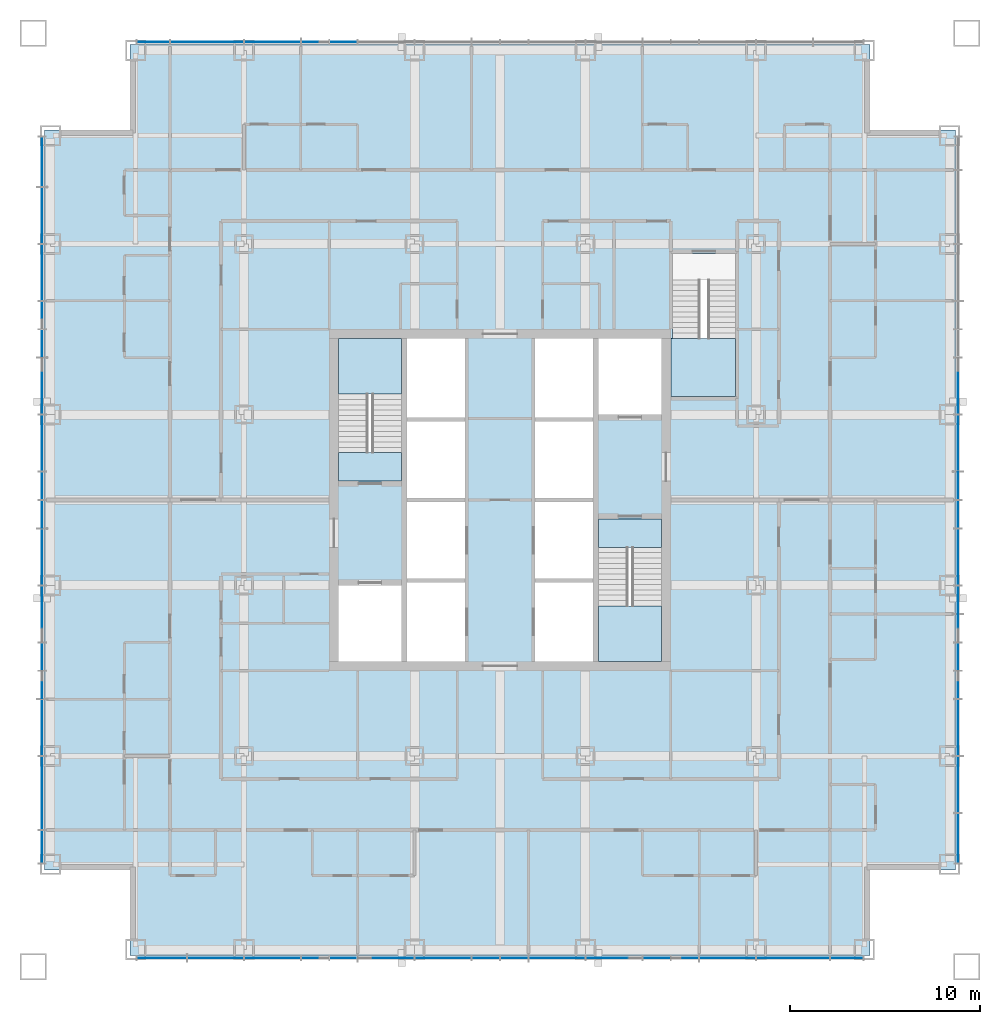
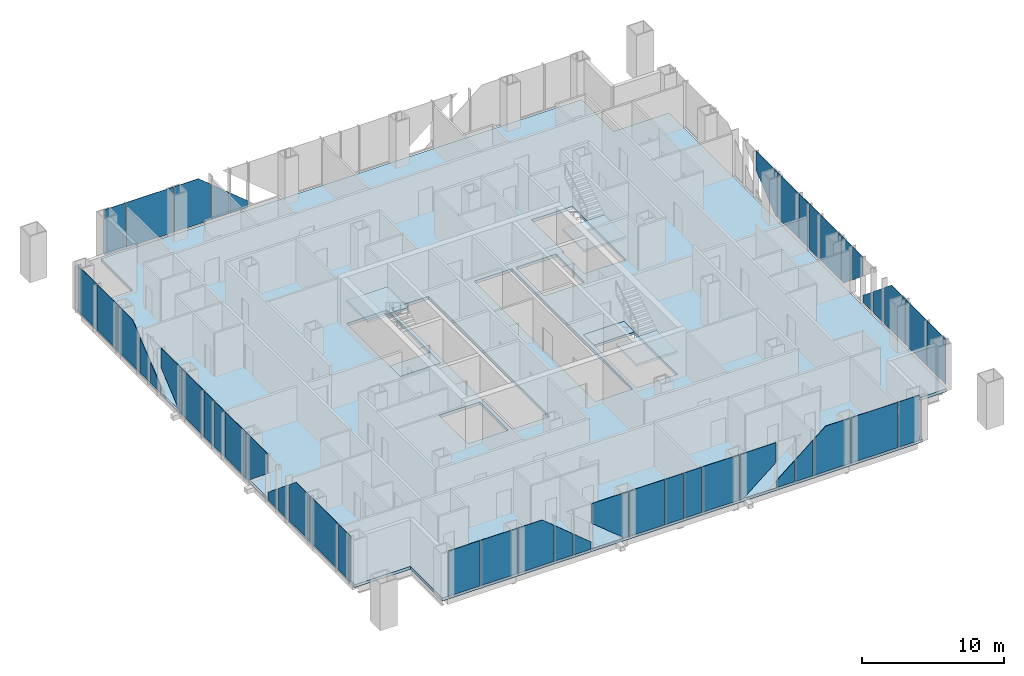
# One storey, part 7 of 18: 49 plates, 6 slabs, 7 elements without a shape of their own.
"""IFC4 building model written with IfcOpenShell, lengths in metres."""

from ifc_helpers import new_model, si_unit, direction, frame, origin, origin_2d, place, context, subcontext, project, spatial, polyline, rectangle, outline, extrude, material, layer, layer_set, type_object, element, aggregate, save


model = new_model("IFC4")

# Units and contexts
model_context = context("Model", 3, precision=1e-05, world=origin(), true_north=direction((0.0, 1.0)))
body_context = subcontext(model_context, "Body", "Model", "MODEL_VIEW")
ifc_project = project(units=[si_unit("LENGTHUNIT", "METRE"), si_unit("AREAUNIT", "SQUARE_METRE"), si_unit("VOLUMEUNIT", "CUBIC_METRE"), si_unit("PLANEANGLEUNIT", "RADIAN"), si_unit("MASSUNIT", "GRAM", prefix="KILO")], contexts=[model_context])

# Site, building, storey
site_placement = place(None, origin())
site = spatial("IfcSite", under=ifc_project, at=site_placement, CompositionType="ELEMENT")
building_placement = place(site_placement, origin())
building = spatial("IfcBuilding", under=site, at=building_placement, Name="Malebo Sky Hospital", CompositionType="ELEMENT")
storey_placement = place(building_placement, frame((0.0, 0.0, 124.0)))
storey = spatial("IfcBuildingStorey", under=building, at=storey_placement, Name="L29", CompositionType="ELEMENT", Elevation=124.0)

# Slab
ifc_material_1 = material(Name="Concrete C40/50", Category="concrete")
ifc_layer_1 = layer(ifc_material_1, 0.25)
ifc_layer_set_1 = layer_set([ifc_layer_1], Name="COMPOSITE FLOOR SLAB 250")
slab_type_1 = type_object("IfcSlabType", Name="COMPOSITE FLOOR SLAB 250", PredefinedType="FLOOR", material=ifc_layer_set_1)
slab_1_placement = place(storey_placement, frame((0.0, 0.0, -0.25)))
element("IfcSlab", 1, at=slab_1_placement, inside=storey, type_object=slab_type_1, Name="Floor slab L29", PredefinedType="FLOOR", context=body_context, shape_type="SweptSolid", body=[
    extrude(outline(polyline([(40.5, 86.0), (40.5, 81.5), (36.0, 81.5), (36.0, 42.5), (40.5, 42.5), (40.5, 38.0), (79.5, 38.0), (79.5, 42.5), (84.0, 42.5), (84.0, 81.5), (79.5, 81.5), (79.5, 86.0), (40.5, 86.0)]), holes=[polyline([(55.10009765625, 70.5), (58.14990234375, 70.5), (58.14990234375, 53.5), (55.10009765625, 53.5), (55.10009765625, 70.5)]), polyline([(64.89990234375, 70.5), (64.89990234375, 53.5), (61.85009765625, 53.5), (61.85009765625, 70.5), (64.89990234375, 70.5)]), polyline([(54.800048828125, 63.0), (51.5, 63.0), (51.5, 70.5), (54.800048828125, 70.5), (54.800048828125, 63.0)]), polyline([(51.5, 53.5), (51.5, 57.5), (54.800048828125, 57.5), (54.800048828125, 53.5), (51.5, 53.5)]), polyline([(65.199951171875, 61.0), (68.5, 61.0), (68.5, 53.5), (65.199951171875, 53.5), (65.199951171875, 61.0)]), polyline([(68.5, 70.5), (68.5, 66.5), (65.199951171875, 66.5), (65.199951171875, 70.5), (68.5, 70.5)]), polyline([(69.0, 67.449951171875), (69.0, 70.52001953125), (69.10009765625, 70.52001953125), (69.10009765625, 75.0), (72.39990234375, 75.0), (72.39990234375, 67.449951171875), (69.10009765625, 67.449951171875), (69.0, 67.449951171875)])]), origin(), (0.0, 0.0, 1.0), 0.25),
])

# Stair, slabs
stair_type_1 = type_object("IfcStairType", Name="HALF-TURN STAIR 1500 R167", PredefinedType="HALF_TURN_STAIR", material=ifc_material_1)
stair_1_placement = place(storey_placement, origin())
stair_1 = element("IfcStair", 2, at=stair_1_placement, inside=storey, type_object=stair_type_1, Name="Stair S1 L29 type ST1", PredefinedType="HALF_TURN_STAIR")
ifc_layer_2 = layer(ifc_material_1, 0.199951171875)
ifc_layer_set_2 = layer_set([ifc_layer_2], Name="STAIR LANDING 200")
slab_type_2 = type_object("IfcSlabType", Name="STAIR LANDING 200", PredefinedType="LANDING", material=ifc_layer_set_2)
slab_2_placement = place(storey_placement, frame((0.0, 0.0, -0.199951171875)))
slab_2 = element("IfcSlab", 3, at=slab_2_placement, type_object=slab_type_2, Name="S1 landing 1", PredefinedType="LANDING", context=body_context, shape_type="SweptSolid", body=[
    extrude(outline(polyline([(51.5, 63.0), (54.800048828125, 63.0), (54.800048828125, 64.5), (51.5, 64.5), (51.5, 63.0)])), origin(), (0.0, 0.0, 1.0), 0.199951171875),
])
slab_3_placement = place(storey_placement, frame((0.0, 0.0, 1.800048828125)))
slab_3 = element("IfcSlab", 4, at=slab_3_placement, type_object=slab_type_2, Name="S1 landing 2", PredefinedType="LANDING", context=body_context, shape_type="SweptSolid", body=[
    extrude(outline(polyline([(51.5, 67.580078125), (54.800048828125, 67.580078125), (54.800048828125, 70.5), (51.5, 70.5), (51.5, 67.580078125)])), origin(), (0.0, 0.0, 1.0), 0.199951171875),
])
aggregate(stair_1, [slab_2, slab_3])

stair_2_placement = place(storey_placement, origin())
stair_2 = element("IfcStair", 5, at=stair_2_placement, inside=storey, type_object=stair_type_1, Name="Stair S2 L29 type ST1", PredefinedType="HALF_TURN_STAIR")
slab_4_placement = place(storey_placement, frame((0.0, 0.0, -0.199951171875)))
slab_4 = element("IfcSlab", 6, at=slab_4_placement, type_object=slab_type_2, Name="S2 landing 1", PredefinedType="LANDING", context=body_context, shape_type="SweptSolid", body=[
    extrude(outline(polyline([(65.199951171875, 59.5), (68.5, 59.5), (68.5, 61.0), (65.199951171875, 61.0), (65.199951171875, 59.5)])), origin(), (0.0, 0.0, 1.0), 0.199951171875),
])
slab_5_placement = place(storey_placement, frame((0.0, 0.0, 1.800048828125)))
slab_5 = element("IfcSlab", 7, at=slab_5_placement, type_object=slab_type_2, Name="S2 landing 2", PredefinedType="LANDING", context=body_context, shape_type="SweptSolid", body=[
    extrude(outline(polyline([(65.199951171875, 53.5), (68.5, 53.5), (68.5, 56.419921875), (65.199951171875, 56.419921875), (65.199951171875, 53.5)])), origin(), (0.0, 0.0, 1.0), 0.199951171875),
])
aggregate(stair_2, [slab_4, slab_5])

# Stair, slab
stair_type_2 = type_object("IfcStairType", Name="HALF-TURN STAIR 1400 R167", PredefinedType="HALF_TURN_STAIR", material=ifc_material_1)
stair_3_placement = place(storey_placement, origin())
stair_3 = element("IfcStair", 8, at=stair_3_placement, inside=storey, type_object=stair_type_2, Name="Stair S3 L29 type ST1B", PredefinedType="HALF_TURN_STAIR")
slab_6_placement = place(storey_placement, frame((0.0, 0.0, 1.800048828125)))
slab_6 = element("IfcSlab", 9, at=slab_6_placement, type_object=slab_type_2, Name="S3 landing 2", PredefinedType="LANDING", context=body_context, shape_type="SweptSolid", body=[
    extrude(outline(polyline([(69.0, 67.449951171875), (72.39990234375, 67.449951171875), (72.39990234375, 70.52001953125), (69.0, 70.52001953125), (69.0, 67.449951171875)])), origin(), (0.0, 0.0, 1.0), 0.199951171875),
])
aggregate(stair_3, [slab_6])

# Curtain wall, plates
ifc_material_2 = material(Name="Anodised aluminium, natural silver", Category="aluminium")
ifc_layer_3 = layer(ifc_material_2, 0.25)
ifc_layer_set_3 = layer_set([ifc_layer_3], Name="WARD CURTAIN WALL NORTH AND SOUTH")
curtain_wall_type_1 = type_object("IfcCurtainWallType", Name="WARD CURTAIN WALL NORTH AND SOUTH", PredefinedType="NOTDEFINED", material=ifc_layer_set_3)
curtain_wall_1_placement = place(storey_placement, origin())
curtain_wall_1 = element("IfcCurtainWall", 10, at=curtain_wall_1_placement, inside=storey, type_object=curtain_wall_type_1, Name="NS curtain wall N", PredefinedType="NOTDEFINED")
ifc_material_3 = material(Name="Clear low-iron double glazing", Category="glass")
ifc_layer_4 = layer(ifc_material_3, 0.031982421875)
ifc_layer_set_4 = layer_set([ifc_layer_4], Name="VISION PANEL CLEAR 32")
plate_type = type_object("IfcPlateType", Name="VISION PANEL CLEAR 32", PredefinedType="CURTAIN_PANEL", material=ifc_layer_set_4)
plate_1_placement = place(storey_placement, frame((41.71875, 86.135009765625, 0.10009765625), z_axis=(0.0, 0.0, 1.0), x_axis=(1.0, 0.0, 0.0)))
plate_1 = element("IfcPlate", 11, at=plate_1_placement, type_object=plate_type, Name="Panel 1", PredefinedType="CURTAIN_PANEL", context=body_context, shape_type="SweptSolid", body=[
    extrude(rectangle(XDim=1.6875, YDim=0.031982421875, at=origin_2d()), origin(), (0.0, 0.0, 1.0), 3.889892578125),
])
plate_2_placement = place(storey_placement, frame((44.550048828125, 86.135009765625, 0.10009765625), z_axis=(0.0, 0.0, 1.0), x_axis=(1.0, 0.0, 0.0)))
plate_2 = element("IfcPlate", 12, at=plate_2_placement, type_object=plate_type, Name="Panel 2", PredefinedType="CURTAIN_PANEL", context=body_context, shape_type="SweptSolid", body=[
    extrude(rectangle(XDim=3.824951171875, YDim=0.031982421875, at=origin_2d()), origin(), (0.0, 0.0, 1.0), 3.889892578125),
])
plate_3_placement = place(storey_placement, frame((48.0, 86.135009765625, 0.10009765625), z_axis=(0.0, 0.0, 1.0), x_axis=(1.0, 0.0, 0.0)))
plate_3 = element("IfcPlate", 13, at=plate_3_placement, type_object=plate_type, Name="Panel 3", PredefinedType="CURTAIN_PANEL", context=body_context, shape_type="SweptSolid", body=[
    extrude(outline(polyline([(-1.46240234375, 0.0), (1.46240234375, 0.0), (1.46240234375, 3.099365234375), (0.503173828125, 3.889892578125), (-1.46240234375, 3.889892578125), (-1.46240234375, 0.0)])), frame((0.0, 0.01611328125, 0.0), z_axis=(0.0, -1.0, 0.0), x_axis=(1.0, 0.0, 0.0)), (0.0, 0.0, 1.0), 0.031982421875),
])
plate_4_placement = place(storey_placement, frame((50.25, 86.135009765625, 0.099853515625), z_axis=(0.0, 0.0, 1.0), x_axis=(1.0, 0.0, 0.0)))
plate_4 = element("IfcPlate", 14, at=plate_4_placement, type_object=plate_type, Name="Panel 4", PredefinedType="CURTAIN_PANEL", context=body_context, shape_type="SweptSolid", body=[
    extrude(outline(polyline([(-0.71240234375, 0.0), (0.71240234375, 0.0), (0.71240234375, 1.863037109375), (-0.71240234375, 3.03759765625), (-0.71240234375, 0.0)])), frame((0.0, 0.01611328125, 0.0), z_axis=(0.0, -1.0, 0.0), x_axis=(1.0, 0.0, 0.0)), (0.0, 0.0, 1.0), 0.031982421875),
])
plate_5_placement = place(storey_placement, frame((51.75, 86.135009765625, 0.10009765625), z_axis=(0.0, 0.0, 1.0), x_axis=(1.0, 0.0, 0.0)))
plate_5 = element("IfcPlate", 15, at=plate_5_placement, type_object=plate_type, Name="Panel 5", PredefinedType="CURTAIN_PANEL", context=body_context, shape_type="SweptSolid", body=[
    extrude(outline(polyline([(-0.71240234375, 0.0), (0.71240234375, 0.0), (0.71240234375, 0.626708984375), (-0.71240234375, 1.80126953125), (-0.71240234375, 0.0)])), frame((0.0, 0.01611328125, 0.0), z_axis=(0.0, -1.0, 0.0), x_axis=(1.0, 0.0, 0.0)), (0.0, 0.0, 1.0), 0.031982421875),
])
aggregate(curtain_wall_1, [plate_1, plate_2, plate_3, plate_4, plate_5])

ifc_layer_5 = layer(ifc_material_2, 0.25)
ifc_layer_set_5 = layer_set([ifc_layer_5], Name="WARD CURTAIN WALL EAST AND WEST")
curtain_wall_type_2 = type_object("IfcCurtainWallType", Name="WARD CURTAIN WALL EAST AND WEST", PredefinedType="NOTDEFINED", material=ifc_layer_set_5)
curtain_wall_2_placement = place(storey_placement, origin())
curtain_wall_2 = element("IfcCurtainWall", 16, at=curtain_wall_2_placement, inside=storey, type_object=curtain_wall_type_2, Name="EW curtain wall W", PredefinedType="NOTDEFINED")
plate_6_placement = place(storey_placement, frame((35.864990234375, 43.71875, 0.10009765625), z_axis=(0.0, 0.0, 1.0), x_axis=(0.0, 1.0, 0.0)))
plate_6 = element("IfcPlate", 17, at=plate_6_placement, type_object=plate_type, Name="Panel 1", PredefinedType="CURTAIN_PANEL", context=body_context, shape_type="SweptSolid", body=[
    extrude(rectangle(XDim=1.6875, YDim=0.031982421875, at=origin_2d()), origin(), (0.0, 0.0, 1.0), 3.889892578125),
])
plate_7_placement = place(storey_placement, frame((35.864990234375, 46.550048828125, 0.10009765625), z_axis=(0.0, 0.0, 1.0), x_axis=(0.0, 1.0, 0.0)))
plate_7 = element("IfcPlate", 18, at=plate_7_placement, type_object=plate_type, Name="Panel 2", PredefinedType="CURTAIN_PANEL", context=body_context, shape_type="SweptSolid", body=[
    extrude(rectangle(XDim=3.824951171875, YDim=0.031982421875, at=origin_2d()), origin(), (0.0, 0.0, 1.0), 3.889892578125),
])
plate_8_placement = place(storey_placement, frame((35.864990234375, 50.0, 0.10009765625), z_axis=(0.0, 0.0, 1.0), x_axis=(0.0, 1.0, 0.0)))
plate_8 = element("IfcPlate", 19, at=plate_8_placement, type_object=plate_type, Name="Panel 3", PredefinedType="CURTAIN_PANEL", context=body_context, shape_type="SweptSolid", body=[
    extrude(outline(polyline([(-1.46240234375, 0.0), (1.46240234375, 0.0), (1.46240234375, 3.099365234375), (0.503173828125, 3.889892578125), (-1.46240234375, 3.889892578125), (-1.46240234375, 0.0)])), frame((0.0, 0.01611328125, 0.0), z_axis=(0.0, -1.0, 0.0), x_axis=(1.0, 0.0, 0.0)), (0.0, 0.0, 1.0), 0.031982421875),
])
plate_9_placement = place(storey_placement, frame((35.864990234375, 52.25, 0.099853515625), z_axis=(0.0, 0.0, 1.0), x_axis=(0.0, 1.0, 0.0)))
plate_9 = element("IfcPlate", 20, at=plate_9_placement, type_object=plate_type, Name="Panel 4", PredefinedType="CURTAIN_PANEL", context=body_context, shape_type="SweptSolid", body=[
    extrude(outline(polyline([(-0.71240234375, 0.0), (0.71240234375, 0.0), (0.71240234375, 1.863037109375), (-0.71240234375, 3.03759765625), (-0.71240234375, 0.0)])), frame((0.0, 0.01611328125, 0.0), z_axis=(0.0, -1.0, 0.0), x_axis=(1.0, 0.0, 0.0)), (0.0, 0.0, 1.0), 0.031982421875),
])
plate_10_placement = place(storey_placement, frame((35.864990234375, 53.75, 0.10009765625), z_axis=(0.0, 0.0, 1.0), x_axis=(0.0, 1.0, 0.0)))
plate_10 = element("IfcPlate", 21, at=plate_10_placement, type_object=plate_type, Name="Panel 5", PredefinedType="CURTAIN_PANEL", context=body_context, shape_type="SweptSolid", body=[
    extrude(outline(polyline([(-0.71240234375, 0.0), (0.71240234375, 0.0), (0.71240234375, 0.626708984375), (-0.71240234375, 1.80126953125), (-0.71240234375, 0.0)])), frame((0.0, 0.01611328125, 0.0), z_axis=(0.0, -1.0, 0.0), x_axis=(1.0, 0.0, 0.0)), (0.0, 0.0, 1.0), 0.031982421875),
])
plate_11_placement = place(storey_placement, frame((35.864990234375, 56.0, 0.10009765625), z_axis=(0.0, 0.0, 1.0), x_axis=(0.0, 1.0, 0.0)))
plate_11 = element("IfcPlate", 22, at=plate_11_placement, type_object=plate_type, Name="Panel 6", PredefinedType="CURTAIN_PANEL", context=body_context, shape_type="SweptSolid", body=[
    extrude(outline(polyline([(1.18994140625, 0.0), (1.46240234375, 0.0), (1.46240234375, 3.889892578125), (-1.46240234375, 3.889892578125), (-1.46240234375, 2.18603515625), (1.18994140625, 0.0)])), frame((0.0, 0.01611328125, 0.0), z_axis=(0.0, -1.0, 0.0), x_axis=(1.0, 0.0, 0.0)), (0.0, 0.0, 1.0), 0.031982421875),
])
plate_12_placement = place(storey_placement, frame((35.864990234375, 59.0, 0.10009765625), z_axis=(0.0, 0.0, 1.0), x_axis=(0.0, 1.0, 0.0)))
plate_12 = element("IfcPlate", 23, at=plate_12_placement, type_object=plate_type, Name="Panel 7", PredefinedType="CURTAIN_PANEL", context=body_context, shape_type="SweptSolid", body=[
    extrude(rectangle(XDim=2.925048828125, YDim=0.031982421875, at=origin_2d()), origin(), (0.0, 0.0, 1.0), 3.889892578125),
])
plate_13_placement = place(storey_placement, frame((35.864990234375, 61.25, 0.10009765625), z_axis=(0.0, 0.0, 1.0), x_axis=(0.0, 1.0, 0.0)))
plate_13 = element("IfcPlate", 24, at=plate_13_placement, type_object=plate_type, Name="Panel 8", PredefinedType="CURTAIN_PANEL", context=body_context, shape_type="SweptSolid", body=[
    extrude(rectangle(XDim=1.425048828125, YDim=0.031982421875, at=origin_2d()), origin(), (0.0, 0.0, 1.0), 3.889892578125),
])
plate_14_placement = place(storey_placement, frame((35.864990234375, 62.75, 0.10009765625), z_axis=(0.0, 0.0, 1.0), x_axis=(0.0, 1.0, 0.0)))
plate_14 = element("IfcPlate", 25, at=plate_14_placement, type_object=plate_type, Name="Panel 9", PredefinedType="CURTAIN_PANEL", context=body_context, shape_type="SweptSolid", body=[
    extrude(rectangle(XDim=1.425048828125, YDim=0.031982421875, at=origin_2d()), origin(), (0.0, 0.0, 1.0), 3.889892578125),
])
plate_15_placement = place(storey_placement, frame((35.864990234375, 65.0, 0.10009765625), z_axis=(0.0, 0.0, 1.0), x_axis=(0.0, 1.0, 0.0)))
plate_15 = element("IfcPlate", 26, at=plate_15_placement, type_object=plate_type, Name="Panel 10", PredefinedType="CURTAIN_PANEL", context=body_context, shape_type="SweptSolid", body=[
    extrude(rectangle(XDim=2.925048828125, YDim=0.031982421875, at=origin_2d()), origin(), (0.0, 0.0, 1.0), 3.889892578125),
])
plate_16_placement = place(storey_placement, frame((35.864990234375, 68.0, 0.10009765625), z_axis=(0.0, 0.0, 1.0), x_axis=(0.0, 1.0, 0.0)))
plate_16 = element("IfcPlate", 27, at=plate_16_placement, type_object=plate_type, Name="Panel 11", PredefinedType="CURTAIN_PANEL", context=body_context, shape_type="SweptSolid", body=[
    extrude(outline(polyline([(-1.46240234375, 0.0), (-1.18994140625, 0.0), (1.46240234375, 2.18603515625), (1.46240234375, 3.889892578125), (-1.46240234375, 3.889892578125), (-1.46240234375, 0.0)])), frame((0.0, 0.01611328125, 0.0), z_axis=(0.0, -1.0, 0.0), x_axis=(1.0, 0.0, 0.0)), (0.0, 0.0, 1.0), 0.031982421875),
])
plate_17_placement = place(storey_placement, frame((35.864990234375, 70.25, 0.10009765625), z_axis=(0.0, 0.0, 1.0), x_axis=(0.0, 1.0, 0.0)))
plate_17 = element("IfcPlate", 28, at=plate_17_placement, type_object=plate_type, Name="Panel 12", PredefinedType="CURTAIN_PANEL", context=body_context, shape_type="SweptSolid", body=[
    extrude(outline(polyline([(-0.71240234375, 0.0), (0.71240234375, 0.0), (0.71240234375, 1.80126953125), (-0.71240234375, 0.626708984375), (-0.71240234375, 0.0)])), frame((0.0, 0.01611328125, 0.0), z_axis=(0.0, -1.0, 0.0), x_axis=(1.0, 0.0, 0.0)), (0.0, 0.0, 1.0), 0.031982421875),
])
plate_18_placement = place(storey_placement, frame((35.864990234375, 71.75, 0.099853515625), z_axis=(0.0, 0.0, 1.0), x_axis=(0.0, 1.0, 0.0)))
plate_18 = element("IfcPlate", 29, at=plate_18_placement, type_object=plate_type, Name="Panel 13", PredefinedType="CURTAIN_PANEL", context=body_context, shape_type="SweptSolid", body=[
    extrude(outline(polyline([(-0.71240234375, 0.0), (0.71240234375, 0.0), (0.71240234375, 3.03759765625), (-0.71240234375, 1.863037109375), (-0.71240234375, 0.0)])), frame((0.0, 0.01611328125, 0.0), z_axis=(0.0, -1.0, 0.0), x_axis=(1.0, 0.0, 0.0)), (0.0, 0.0, 1.0), 0.031982421875),
])
plate_19_placement = place(storey_placement, frame((35.864990234375, 74.0, 0.10009765625), z_axis=(0.0, 0.0, 1.0), x_axis=(0.0, 1.0, 0.0)))
plate_19 = element("IfcPlate", 30, at=plate_19_placement, type_object=plate_type, Name="Panel 14", PredefinedType="CURTAIN_PANEL", context=body_context, shape_type="SweptSolid", body=[
    extrude(outline(polyline([(-1.46240234375, 0.0), (1.46240234375, 0.0), (1.46240234375, 3.889892578125), (-0.503173828125, 3.889892578125), (-1.46240234375, 3.099365234375), (-1.46240234375, 0.0)])), frame((0.0, 0.01611328125, 0.0), z_axis=(0.0, -1.0, 0.0), x_axis=(1.0, 0.0, 0.0)), (0.0, 0.0, 1.0), 0.031982421875),
])
plate_20_placement = place(storey_placement, frame((35.864990234375, 77.0, 0.10009765625), z_axis=(0.0, 0.0, 1.0), x_axis=(0.0, 1.0, 0.0)))
plate_20 = element("IfcPlate", 31, at=plate_20_placement, type_object=plate_type, Name="Panel 15", PredefinedType="CURTAIN_PANEL", context=body_context, shape_type="SweptSolid", body=[
    extrude(rectangle(XDim=2.925048828125, YDim=0.031982421875, at=origin_2d()), origin(), (0.0, 0.0, 1.0), 3.889892578125),
])
plate_21_placement = place(storey_placement, frame((35.864990234375, 79.831298828125, 0.10009765625), z_axis=(0.0, 0.0, 1.0), x_axis=(0.0, 1.0, 0.0)))
plate_21 = element("IfcPlate", 32, at=plate_21_placement, type_object=plate_type, Name="Panel 16", PredefinedType="CURTAIN_PANEL", context=body_context, shape_type="SweptSolid", body=[
    extrude(rectangle(XDim=2.58740234375, YDim=0.031982421875, at=origin_2d()), origin(), (0.0, 0.0, 1.0), 3.889892578125),
])
aggregate(curtain_wall_2, [plate_6, plate_7, plate_8, plate_9, plate_10, plate_11, plate_12, plate_13, plate_14, plate_15, plate_16, plate_17, plate_18, plate_19, plate_20, plate_21])

curtain_wall_3_placement = place(storey_placement, origin())
curtain_wall_3 = element("IfcCurtainWall", 33, at=curtain_wall_3_placement, inside=storey, type_object=curtain_wall_type_1, Name="NS curtain wall S", PredefinedType="NOTDEFINED")
plate_22_placement = place(storey_placement, frame((78.28125, 37.864990234375, 0.10009765625), z_axis=(0.0, 0.0, 1.0), x_axis=(-1.0, 0.0, 0.0)))
plate_22 = element("IfcPlate", 34, at=plate_22_placement, type_object=plate_type, Name="Panel 1", PredefinedType="CURTAIN_PANEL", context=body_context, shape_type="SweptSolid", body=[
    extrude(rectangle(XDim=1.6875, YDim=0.031982421875, at=origin_2d()), origin(), (0.0, 0.0, 1.0), 3.889892578125),
])
plate_23_placement = place(storey_placement, frame((75.449951171875, 37.864990234375, 0.10009765625), z_axis=(0.0, 0.0, 1.0), x_axis=(-1.0, 0.0, 0.0)))
plate_23 = element("IfcPlate", 35, at=plate_23_placement, type_object=plate_type, Name="Panel 2", PredefinedType="CURTAIN_PANEL", context=body_context, shape_type="SweptSolid", body=[
    extrude(rectangle(XDim=3.824951171875, YDim=0.031982421875, at=origin_2d()), origin(), (0.0, 0.0, 1.0), 3.889892578125),
])
plate_24_placement = place(storey_placement, frame((72.0, 37.864990234375, 0.10009765625), z_axis=(0.0, 0.0, 1.0), x_axis=(-1.0, 0.0, 0.0)))
plate_24 = element("IfcPlate", 36, at=plate_24_placement, type_object=plate_type, Name="Panel 3", PredefinedType="CURTAIN_PANEL", context=body_context, shape_type="SweptSolid", body=[
    extrude(outline(polyline([(-1.46240234375, 0.0), (1.46240234375, 0.0), (1.46240234375, 3.099365234375), (0.503173828125, 3.889892578125), (-1.46240234375, 3.889892578125), (-1.46240234375, 0.0)])), frame((0.0, 0.01611328125, 0.0), z_axis=(0.0, -1.0, 0.0), x_axis=(1.0, 0.0, 0.0)), (0.0, 0.0, 1.0), 0.031982421875),
])
plate_25_placement = place(storey_placement, frame((69.75, 37.864990234375, 0.099853515625), z_axis=(0.0, 0.0, 1.0), x_axis=(-1.0, 0.0, 0.0)))
plate_25 = element("IfcPlate", 37, at=plate_25_placement, type_object=plate_type, Name="Panel 4", PredefinedType="CURTAIN_PANEL", context=body_context, shape_type="SweptSolid", body=[
    extrude(outline(polyline([(-0.71240234375, 0.0), (0.71240234375, 0.0), (0.71240234375, 1.863037109375), (-0.71240234375, 3.03759765625), (-0.71240234375, 0.0)])), frame((0.0, 0.01611328125, 0.0), z_axis=(0.0, -1.0, 0.0), x_axis=(1.0, 0.0, 0.0)), (0.0, 0.0, 1.0), 0.031982421875),
])
plate_26_placement = place(storey_placement, frame((68.25, 37.864990234375, 0.10009765625), z_axis=(0.0, 0.0, 1.0), x_axis=(-1.0, 0.0, 0.0)))
plate_26 = element("IfcPlate", 38, at=plate_26_placement, type_object=plate_type, Name="Panel 5", PredefinedType="CURTAIN_PANEL", context=body_context, shape_type="SweptSolid", body=[
    extrude(outline(polyline([(-0.71240234375, 0.0), (0.71240234375, 0.0), (0.71240234375, 0.626708984375), (-0.71240234375, 1.80126953125), (-0.71240234375, 0.0)])), frame((0.0, 0.01611328125, 0.0), z_axis=(0.0, -1.0, 0.0), x_axis=(1.0, 0.0, 0.0)), (0.0, 0.0, 1.0), 0.031982421875),
])
plate_27_placement = place(storey_placement, frame((66.0, 37.864990234375, 0.10009765625), z_axis=(0.0, 0.0, 1.0), x_axis=(-1.0, 0.0, 0.0)))
plate_27 = element("IfcPlate", 39, at=plate_27_placement, type_object=plate_type, Name="Panel 6", PredefinedType="CURTAIN_PANEL", context=body_context, shape_type="SweptSolid", body=[
    extrude(outline(polyline([(1.18994140625, 0.0), (1.46240234375, 0.0), (1.46240234375, 3.889892578125), (-1.46240234375, 3.889892578125), (-1.46240234375, 2.18603515625), (1.18994140625, 0.0)])), frame((0.0, 0.01611328125, 0.0), z_axis=(0.0, -1.0, 0.0), x_axis=(1.0, 0.0, 0.0)), (0.0, 0.0, 1.0), 0.031982421875),
])
plate_28_placement = place(storey_placement, frame((63.0, 37.864990234375, 0.10009765625), z_axis=(0.0, 0.0, 1.0), x_axis=(-1.0, 0.0, 0.0)))
plate_28 = element("IfcPlate", 40, at=plate_28_placement, type_object=plate_type, Name="Panel 7", PredefinedType="CURTAIN_PANEL", context=body_context, shape_type="SweptSolid", body=[
    extrude(rectangle(XDim=2.925048828125, YDim=0.031982421875, at=origin_2d()), origin(), (0.0, 0.0, 1.0), 3.889892578125),
])
plate_29_placement = place(storey_placement, frame((60.75, 37.864990234375, 0.10009765625), z_axis=(0.0, 0.0, 1.0), x_axis=(-1.0, 0.0, 0.0)))
plate_29 = element("IfcPlate", 41, at=plate_29_placement, type_object=plate_type, Name="Panel 8", PredefinedType="CURTAIN_PANEL", context=body_context, shape_type="SweptSolid", body=[
    extrude(rectangle(XDim=1.425048828125, YDim=0.031982421875, at=origin_2d()), origin(), (0.0, 0.0, 1.0), 3.889892578125),
])
plate_30_placement = place(storey_placement, frame((59.25, 37.864990234375, 0.10009765625), z_axis=(0.0, 0.0, 1.0), x_axis=(-1.0, 0.0, 0.0)))
plate_30 = element("IfcPlate", 42, at=plate_30_placement, type_object=plate_type, Name="Panel 9", PredefinedType="CURTAIN_PANEL", context=body_context, shape_type="SweptSolid", body=[
    extrude(rectangle(XDim=1.425048828125, YDim=0.031982421875, at=origin_2d()), origin(), (0.0, 0.0, 1.0), 3.889892578125),
])
plate_31_placement = place(storey_placement, frame((57.0, 37.864990234375, 0.10009765625), z_axis=(0.0, 0.0, 1.0), x_axis=(-1.0, 0.0, 0.0)))
plate_31 = element("IfcPlate", 43, at=plate_31_placement, type_object=plate_type, Name="Panel 10", PredefinedType="CURTAIN_PANEL", context=body_context, shape_type="SweptSolid", body=[
    extrude(rectangle(XDim=2.925048828125, YDim=0.031982421875, at=origin_2d()), origin(), (0.0, 0.0, 1.0), 3.889892578125),
])
plate_32_placement = place(storey_placement, frame((54.0, 37.864990234375, 0.10009765625), z_axis=(0.0, 0.0, 1.0), x_axis=(-1.0, 0.0, 0.0)))
plate_32 = element("IfcPlate", 44, at=plate_32_placement, type_object=plate_type, Name="Panel 11", PredefinedType="CURTAIN_PANEL", context=body_context, shape_type="SweptSolid", body=[
    extrude(outline(polyline([(-1.46240234375, 0.0), (-1.18994140625, 0.0), (1.46240234375, 2.18603515625), (1.46240234375, 3.889892578125), (-1.46240234375, 3.889892578125), (-1.46240234375, 0.0)])), frame((0.0, 0.01611328125, 0.0), z_axis=(0.0, -1.0, 0.0), x_axis=(1.0, 0.0, 0.0)), (0.0, 0.0, 1.0), 0.031982421875),
])
plate_33_placement = place(storey_placement, frame((51.75, 37.864990234375, 0.10009765625), z_axis=(0.0, 0.0, 1.0), x_axis=(-1.0, 0.0, 0.0)))
plate_33 = element("IfcPlate", 45, at=plate_33_placement, type_object=plate_type, Name="Panel 12", PredefinedType="CURTAIN_PANEL", context=body_context, shape_type="SweptSolid", body=[
    extrude(outline(polyline([(-0.71240234375, 0.0), (0.71240234375, 0.0), (0.71240234375, 1.80126953125), (-0.71240234375, 0.626708984375), (-0.71240234375, 0.0)])), frame((0.0, 0.01611328125, 0.0), z_axis=(0.0, -1.0, 0.0), x_axis=(1.0, 0.0, 0.0)), (0.0, 0.0, 1.0), 0.031982421875),
])
plate_34_placement = place(storey_placement, frame((50.25, 37.864990234375, 0.099853515625), z_axis=(0.0, 0.0, 1.0), x_axis=(-1.0, 0.0, 0.0)))
plate_34 = element("IfcPlate", 46, at=plate_34_placement, type_object=plate_type, Name="Panel 13", PredefinedType="CURTAIN_PANEL", context=body_context, shape_type="SweptSolid", body=[
    extrude(outline(polyline([(-0.71240234375, 0.0), (0.71240234375, 0.0), (0.71240234375, 3.03759765625), (-0.71240234375, 1.863037109375), (-0.71240234375, 0.0)])), frame((0.0, 0.01611328125, 0.0), z_axis=(0.0, -1.0, 0.0), x_axis=(1.0, 0.0, 0.0)), (0.0, 0.0, 1.0), 0.031982421875),
])
plate_35_placement = place(storey_placement, frame((48.0, 37.864990234375, 0.10009765625), z_axis=(0.0, 0.0, 1.0), x_axis=(-1.0, 0.0, 0.0)))
plate_35 = element("IfcPlate", 47, at=plate_35_placement, type_object=plate_type, Name="Panel 14", PredefinedType="CURTAIN_PANEL", context=body_context, shape_type="SweptSolid", body=[
    extrude(outline(polyline([(-1.46240234375, 0.0), (1.46240234375, 0.0), (1.46240234375, 3.889892578125), (-0.503173828125, 3.889892578125), (-1.46240234375, 3.099365234375), (-1.46240234375, 0.0)])), frame((0.0, 0.01611328125, 0.0), z_axis=(0.0, -1.0, 0.0), x_axis=(1.0, 0.0, 0.0)), (0.0, 0.0, 1.0), 0.031982421875),
])
plate_36_placement = place(storey_placement, frame((45.0, 37.864990234375, 0.10009765625), z_axis=(0.0, 0.0, 1.0), x_axis=(-1.0, 0.0, 0.0)))
plate_36 = element("IfcPlate", 48, at=plate_36_placement, type_object=plate_type, Name="Panel 15", PredefinedType="CURTAIN_PANEL", context=body_context, shape_type="SweptSolid", body=[
    extrude(rectangle(XDim=2.925048828125, YDim=0.031982421875, at=origin_2d()), origin(), (0.0, 0.0, 1.0), 3.889892578125),
])
plate_37_placement = place(storey_placement, frame((42.168701171875, 37.864990234375, 0.10009765625), z_axis=(0.0, 0.0, 1.0), x_axis=(-1.0, 0.0, 0.0)))
plate_37 = element("IfcPlate", 49, at=plate_37_placement, type_object=plate_type, Name="Panel 16", PredefinedType="CURTAIN_PANEL", context=body_context, shape_type="SweptSolid", body=[
    extrude(rectangle(XDim=2.58740234375, YDim=0.031982421875, at=origin_2d()), origin(), (0.0, 0.0, 1.0), 3.889892578125),
])
aggregate(curtain_wall_3, [plate_22, plate_23, plate_24, plate_25, plate_26, plate_27, plate_28, plate_29, plate_30, plate_31, plate_32, plate_33, plate_34, plate_35, plate_36, plate_37])

curtain_wall_4_placement = place(storey_placement, origin())
curtain_wall_4 = element("IfcCurtainWall", 50, at=curtain_wall_4_placement, inside=storey, type_object=curtain_wall_type_2, Name="EW curtain wall E", PredefinedType="NOTDEFINED")
plate_38_placement = place(storey_placement, frame((84.135009765625, 68.0, 0.10009765625), z_axis=(0.0, 0.0, 1.0), x_axis=(0.0, -1.0, 0.0)))
plate_38 = element("IfcPlate", 51, at=plate_38_placement, type_object=plate_type, Name="Panel 6", PredefinedType="CURTAIN_PANEL", context=body_context, shape_type="SweptSolid", body=[
    extrude(outline(polyline([(1.18994140625, 0.0), (1.46240234375, 0.0), (1.46240234375, 3.889892578125), (-1.46240234375, 3.889892578125), (-1.46240234375, 2.18603515625), (1.18994140625, 0.0)])), frame((0.0, 0.01611328125, 0.0), z_axis=(0.0, -1.0, 0.0), x_axis=(1.0, 0.0, 0.0)), (0.0, 0.0, 1.0), 0.031982421875),
])
plate_39_placement = place(storey_placement, frame((84.135009765625, 65.0, 0.10009765625), z_axis=(0.0, 0.0, 1.0), x_axis=(0.0, -1.0, 0.0)))
plate_39 = element("IfcPlate", 52, at=plate_39_placement, type_object=plate_type, Name="Panel 7", PredefinedType="CURTAIN_PANEL", context=body_context, shape_type="SweptSolid", body=[
    extrude(rectangle(XDim=2.925048828125, YDim=0.031982421875, at=origin_2d()), origin(), (0.0, 0.0, 1.0), 3.889892578125),
])
plate_40_placement = place(storey_placement, frame((84.135009765625, 62.75, 0.10009765625), z_axis=(0.0, 0.0, 1.0), x_axis=(0.0, -1.0, 0.0)))
plate_40 = element("IfcPlate", 53, at=plate_40_placement, type_object=plate_type, Name="Panel 8", PredefinedType="CURTAIN_PANEL", context=body_context, shape_type="SweptSolid", body=[
    extrude(rectangle(XDim=1.425048828125, YDim=0.031982421875, at=origin_2d()), origin(), (0.0, 0.0, 1.0), 3.889892578125),
])
plate_41_placement = place(storey_placement, frame((84.135009765625, 61.25, 0.10009765625), z_axis=(0.0, 0.0, 1.0), x_axis=(0.0, -1.0, 0.0)))
plate_41 = element("IfcPlate", 54, at=plate_41_placement, type_object=plate_type, Name="Panel 9", PredefinedType="CURTAIN_PANEL", context=body_context, shape_type="SweptSolid", body=[
    extrude(rectangle(XDim=1.425048828125, YDim=0.031982421875, at=origin_2d()), origin(), (0.0, 0.0, 1.0), 3.889892578125),
])
plate_42_placement = place(storey_placement, frame((84.135009765625, 59.0, 0.10009765625), z_axis=(0.0, 0.0, 1.0), x_axis=(0.0, -1.0, 0.0)))
plate_42 = element("IfcPlate", 55, at=plate_42_placement, type_object=plate_type, Name="Panel 10", PredefinedType="CURTAIN_PANEL", context=body_context, shape_type="SweptSolid", body=[
    extrude(rectangle(XDim=2.925048828125, YDim=0.031982421875, at=origin_2d()), origin(), (0.0, 0.0, 1.0), 3.889892578125),
])
plate_43_placement = place(storey_placement, frame((84.135009765625, 56.75, 0.10009765625), z_axis=(0.0, 0.0, 1.0), x_axis=(0.0, -1.0, 0.0)))
plate_43 = element("IfcPlate", 56, at=plate_43_placement, type_object=plate_type, Name="Panel 11", PredefinedType="CURTAIN_PANEL", context=body_context, shape_type="SweptSolid", body=[
    extrude(outline(polyline([(-0.71240234375, 0.0), (-0.43994140625, 0.0), (0.71240234375, 0.94970703125), (0.71240234375, 3.889892578125), (-0.71240234375, 3.889892578125), (-0.71240234375, 0.0)])), frame((0.0, 0.01611328125, 0.0), z_axis=(0.0, -1.0, 0.0), x_axis=(1.0, 0.0, 0.0)), (0.0, 0.0, 1.0), 0.031982421875),
])
plate_44_placement = place(storey_placement, frame((84.135009765625, 55.25, 1.111572265625), z_axis=(0.0, 0.0, 1.0), x_axis=(0.0, -1.0, 0.0)))
plate_44 = element("IfcPlate", 57, at=plate_44_placement, type_object=plate_type, Name="Panel 12", PredefinedType="CURTAIN_PANEL", context=body_context, shape_type="SweptSolid", body=[
    extrude(outline(polyline([(-0.71240234375, 0.0), (0.71240234375, 1.17431640625), (0.71240234375, 2.87841796875), (-0.71240234375, 2.87841796875), (-0.71240234375, 0.0)])), frame((0.0, 0.01611328125, 0.0), z_axis=(0.0, -1.0, 0.0), x_axis=(1.0, 0.0, 0.0)), (0.0, 0.0, 1.0), 0.031982421875),
])
plate_45_placement = place(storey_placement, frame((84.135009765625, 53.75, 0.10009765625), z_axis=(0.0, 0.0, 1.0), x_axis=(0.0, -1.0, 0.0)))
plate_45 = element("IfcPlate", 58, at=plate_45_placement, type_object=plate_type, Name="Panel 13", PredefinedType="CURTAIN_PANEL", context=body_context, shape_type="SweptSolid", body=[
    extrude(outline(polyline([(-0.71240234375, 0.0), (0.71240234375, 0.0), (0.71240234375, 1.80126953125), (-0.71240234375, 0.626708984375), (-0.71240234375, 0.0)])), frame((0.0, 0.01611328125, 0.0), z_axis=(0.0, -1.0, 0.0), x_axis=(1.0, 0.0, 0.0)), (0.0, 0.0, 1.0), 0.031982421875),
])
plate_46_placement = place(storey_placement, frame((84.135009765625, 52.25, 0.099853515625), z_axis=(0.0, 0.0, 1.0), x_axis=(0.0, -1.0, 0.0)))
plate_46 = element("IfcPlate", 59, at=plate_46_placement, type_object=plate_type, Name="Panel 14", PredefinedType="CURTAIN_PANEL", context=body_context, shape_type="SweptSolid", body=[
    extrude(outline(polyline([(-0.71240234375, 0.0), (0.71240234375, 0.0), (0.71240234375, 3.03759765625), (-0.71240234375, 1.863037109375), (-0.71240234375, 0.0)])), frame((0.0, 0.01611328125, 0.0), z_axis=(0.0, -1.0, 0.0), x_axis=(1.0, 0.0, 0.0)), (0.0, 0.0, 1.0), 0.031982421875),
])
plate_47_placement = place(storey_placement, frame((84.135009765625, 50.0, 0.10009765625), z_axis=(0.0, 0.0, 1.0), x_axis=(0.0, -1.0, 0.0)))
plate_47 = element("IfcPlate", 60, at=plate_47_placement, type_object=plate_type, Name="Panel 15", PredefinedType="CURTAIN_PANEL", context=body_context, shape_type="SweptSolid", body=[
    extrude(outline(polyline([(-1.46240234375, 0.0), (1.46240234375, 0.0), (1.46240234375, 3.889892578125), (-0.503173828125, 3.889892578125), (-1.46240234375, 3.099365234375), (-1.46240234375, 0.0)])), frame((0.0, 0.01611328125, 0.0), z_axis=(0.0, -1.0, 0.0), x_axis=(1.0, 0.0, 0.0)), (0.0, 0.0, 1.0), 0.031982421875),
])
plate_48_placement = place(storey_placement, frame((84.135009765625, 47.0, 0.10009765625), z_axis=(0.0, 0.0, 1.0), x_axis=(0.0, -1.0, 0.0)))
plate_48 = element("IfcPlate", 61, at=plate_48_placement, type_object=plate_type, Name="Panel 16", PredefinedType="CURTAIN_PANEL", context=body_context, shape_type="SweptSolid", body=[
    extrude(rectangle(XDim=2.925048828125, YDim=0.031982421875, at=origin_2d()), origin(), (0.0, 0.0, 1.0), 3.889892578125),
])
plate_49_placement = place(storey_placement, frame((84.135009765625, 44.168701171875, 0.10009765625), z_axis=(0.0, 0.0, 1.0), x_axis=(0.0, -1.0, 0.0)))
plate_49 = element("IfcPlate", 62, at=plate_49_placement, type_object=plate_type, Name="Panel 17", PredefinedType="CURTAIN_PANEL", context=body_context, shape_type="SweptSolid", body=[
    extrude(rectangle(XDim=2.58740234375, YDim=0.031982421875, at=origin_2d()), origin(), (0.0, 0.0, 1.0), 3.889892578125),
])
aggregate(curtain_wall_4, [plate_38, plate_39, plate_40, plate_41, plate_42, plate_43, plate_44, plate_45, plate_46, plate_47, plate_48, plate_49])

save(model, "model.ifc")
